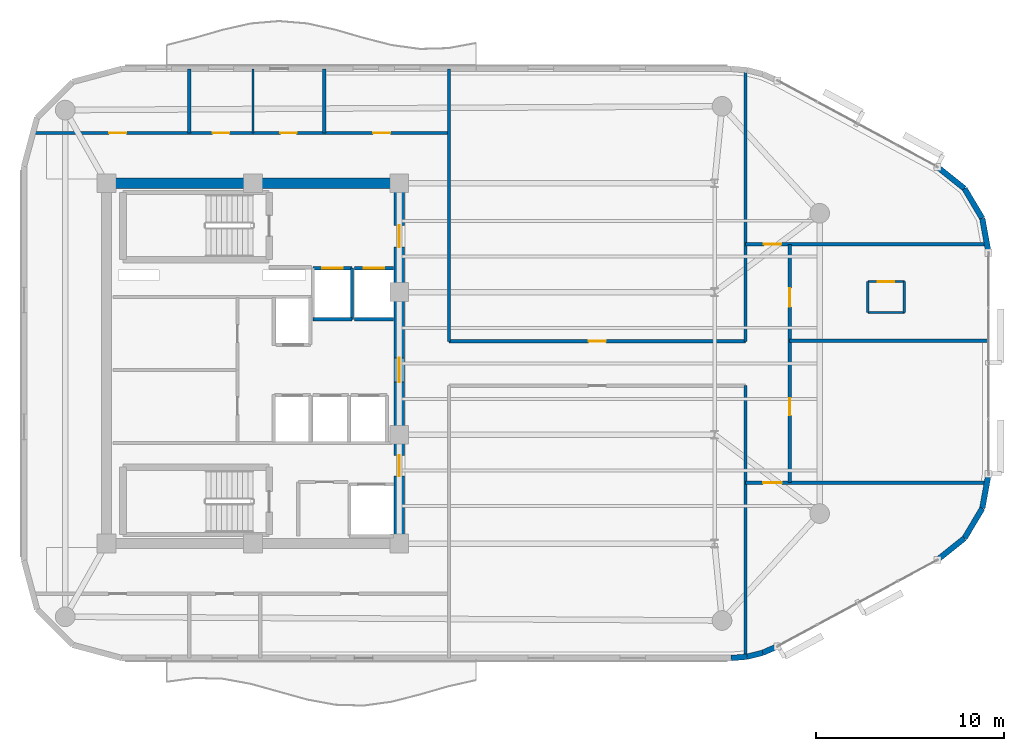
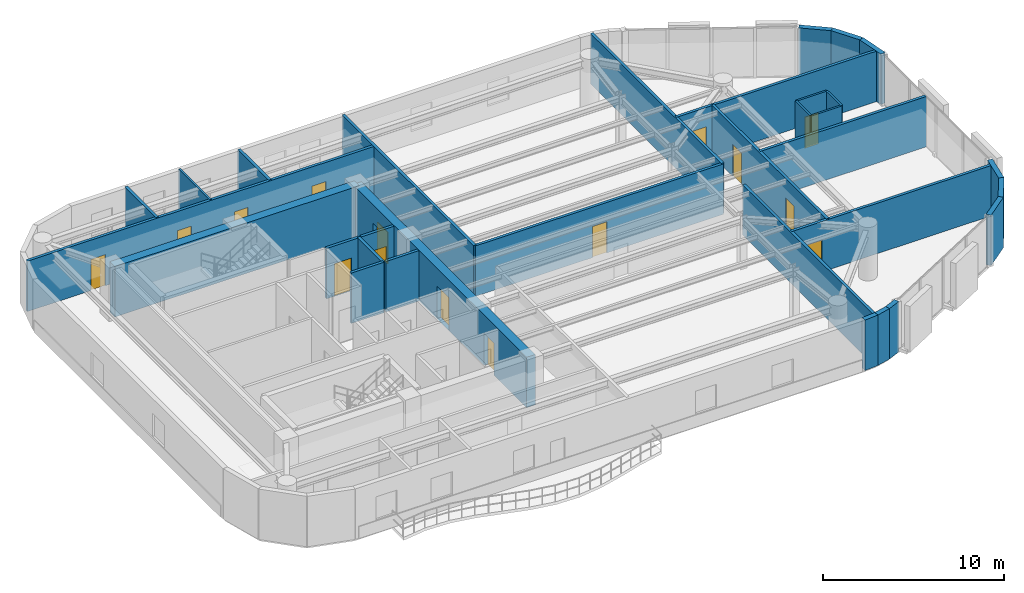
# One storey, part 10 of 13: 32 walls, 15 doors, 15 openings.
"""IFC4 building model written with IfcOpenShell, lengths in metres."""

from ifc_helpers import new_model, si_unit, direction, frame, frame_2d, origin, place, context, subcontext, project, spatial, rectangle, extrude, material, layer, layer_set, type_object, element, fill, save


model = new_model("IFC4")

# Units and contexts
model_context = context("Model", 3, precision=1e-05, world=origin(), true_north=direction((0.0, 1.0)))
body_context = subcontext(model_context, "Body", "Model", "MODEL_VIEW")
ifc_project = project(units=[si_unit("LENGTHUNIT", "METRE"), si_unit("AREAUNIT", "SQUARE_METRE"), si_unit("VOLUMEUNIT", "CUBIC_METRE"), si_unit("PLANEANGLEUNIT", "RADIAN"), si_unit("MASSUNIT", "GRAM", prefix="KILO")], contexts=[model_context])

# Site, building, storey
site_placement = place(None, origin())
site = spatial("IfcSite", under=ifc_project, at=site_placement, CompositionType="ELEMENT")
building_placement = place(site_placement, origin())
building = spatial("IfcBuilding", under=site, at=building_placement, Name="An Khanh Terracotta Commons", CompositionType="ELEMENT")
storey_placement = place(building_placement, frame((0.0, 0.0, 226.5)))
storey = spatial("IfcBuildingStorey", under=building, at=storey_placement, Name="L59", CompositionType="ELEMENT", Elevation=226.5)

# Wall
ifc_material_1 = material(Name="Concrete C50/60", Category="concrete")
ifc_layer_1 = layer(ifc_material_1, 0.550048828125, Name="Concrete C50/60")
ifc_layer_set_1 = layer_set([ifc_layer_1], Name="Concrete C50/60")
wall_type_1 = type_object("IfcWallType", Name="WALL-CORE-550", PredefinedType="SHEAR", material=ifc_layer_set_1)
wall_1_placement = place(storey_placement, frame((21.60009765625, 33.60009765625, 0.0), z_axis=(0.0, 0.0, 1.0), x_axis=(1.0, 0.0, 0.0)))
element("IfcWall", 1, at=wall_1_placement, inside=storey, type_object=wall_type_1, Name="L59 Core Wall CWALL-L59-N", PredefinedType="SHEAR", context=body_context, shape_type="SweptSolid", body=[
    extrude(rectangle(XDim=15.599853515625, YDim=0.550048828125, at=frame_2d((7.7998046875, 0.0))), origin(), (0.0, 0.0, 1.0), 3.39990234375),
])

# Wall, openings, doors
wall_2_placement = place(storey_placement, frame((37.199951171875, 14.39990234375, 0.0), z_axis=(0.0, 0.0, 1.0), x_axis=(0.0, 1.0, 0.0)))
wall_2 = element("IfcWall", 2, at=wall_2_placement, inside=storey, type_object=wall_type_1, Name="L59 Core Wall CWALL-L59-E", PredefinedType="SHEAR", context=body_context, shape_type="SweptSolid", body=[
    extrude(rectangle(XDim=19.2001953125, YDim=0.550048828125, at=frame_2d((9.60009765625, 0.0))), origin(), (0.0, 0.0, 1.0), 3.39990234375),
])
opening_1_placement = place(wall_2_placement, frame((15.800048828125, 0.0, 0.0)))
opening_1 = element("IfcOpeningElement", 3, at=opening_1_placement, cuts=wall_2, Name="Opening D-FFL", PredefinedType="OPENING", context=body_context, shape_type="SweptSolid", body=[
    extrude(rectangle(XDim=1.14990234375, YDim=2.14990234375, at=frame_2d((0.574951171875, 1.074951171875))), frame((0.0, 0.284912109375, 0.0), z_axis=(0.0, -1.0, 0.0), x_axis=(1.0, 0.0, 0.0)), (0.0, 0.0, 1.0), 0.570068359375),
])
opening_2_placement = place(wall_2_placement, frame((3.60009765625, 0.0, 0.0)))
opening_2 = element("IfcOpeningElement", 4, at=opening_2_placement, cuts=wall_2, Name="Opening D-ST", PredefinedType="OPENING", context=body_context, shape_type="SweptSolid", body=[
    extrude(rectangle(XDim=1.10009765625, YDim=2.14990234375, at=frame_2d((0.550048828125, 1.074951171875))), frame((0.0, 0.284912109375, 0.0), z_axis=(0.0, -1.0, 0.0), x_axis=(1.0, 0.0, 0.0)), (0.0, 0.0, 1.0), 0.570068359375),
])
opening_3_placement = place(wall_2_placement, frame((8.60009765625, 0.0, 0.0)))
opening_3 = element("IfcOpeningElement", 5, at=opening_3_placement, cuts=wall_2, Name="Opening D-COR", PredefinedType="OPENING", context=body_context, shape_type="SweptSolid", body=[
    extrude(rectangle(XDim=1.300048828125, YDim=2.199951171875, at=frame_2d((0.64990234375, 1.10009765625))), frame((0.0, 0.284912109375, 0.0), z_axis=(0.0, -1.0, 0.0), x_axis=(1.0, 0.0, 0.0)), (0.0, 0.0, 1.0), 0.570068359375),
])
ifc_material_2 = material(Name="Fire-Rated Glazed Steel Double Door", Category="steel")
door_type_1 = type_object("IfcDoorType", Name="DOOR-CORR-1300", OperationType="NOTDEFINED", PredefinedType="DOOR", material=ifc_material_2)
door_1_placement = place(opening_3_placement, origin())
door_1 = element("IfcDoor", 6, at=door_1_placement, inside=storey, type_object=door_type_1, Name="L59 Passenger Lift Lobby Double Door", OperationType="DOUBLE_DOOR_SINGLE_SWING", OverallHeight=2.199951171875, OverallWidth=1.300048828125, PredefinedType="DOOR", context=body_context, shape_type="SweptSolid", body=[
    extrude(rectangle(XDim=1.300048828125, YDim=2.199951171875, at=frame_2d((0.64990234375, 1.10009765625))), frame((0.0, 0.02490234375, 0.0), z_axis=(0.0, -1.0, 0.0), x_axis=(1.0, 0.0, 0.0)), (0.0, 0.0, 1.0), 0.050048828125),
])
fill(opening_3, door_1)
ifc_material_3 = material(Name="Fire-Rated Steel Leaf and Vision Panel", Category="steel")
door_type_2 = type_object("IfcDoorType", Name="DOOR-FFL-1150", OperationType="NOTDEFINED", PredefinedType="DOOR", material=ifc_material_3)
door_2_placement = place(opening_1_placement, origin())
door_2 = element("IfcDoor", 7, at=door_2_placement, inside=storey, type_object=door_type_2, Name="L59 Firefighting Lift Lobby Fire Door", OperationType="SINGLE_SWING_LEFT", OverallHeight=2.14990234375, OverallWidth=1.14990234375, PredefinedType="DOOR", context=body_context, shape_type="SweptSolid", body=[
    extrude(rectangle(XDim=1.14990234375, YDim=2.14990234375, at=frame_2d((0.574951171875, 1.074951171875))), frame((0.0, 0.02490234375, 0.0), z_axis=(0.0, -1.0, 0.0), x_axis=(1.0, 0.0, 0.0)), (0.0, 0.0, 1.0), 0.050048828125),
])
fill(opening_1, door_2)
ifc_material_4 = material(Name="Fire-Rated Steel Leaf and Frame", Category="steel")
door_type_3 = type_object("IfcDoorType", Name="DOOR-STAIR-1100", OperationType="NOTDEFINED", PredefinedType="DOOR", material=ifc_material_4)
door_3_placement = place(opening_2_placement, origin())
door_3 = element("IfcDoor", 8, at=door_3_placement, inside=storey, type_object=door_type_3, Name="L59 South Stair Lobby Fire Door", OperationType="SINGLE_SWING_RIGHT", OverallHeight=2.14990234375, OverallWidth=1.10009765625, PredefinedType="DOOR", context=body_context, shape_type="SweptSolid", body=[
    extrude(rectangle(XDim=1.10009765625, YDim=2.14990234375, at=frame_2d((0.550048828125, 1.074951171875))), frame((0.0, 0.02490234375, 0.0), z_axis=(0.0, -1.0, 0.0), x_axis=(1.0, 0.0, 0.0)), (0.0, 0.0, 1.0), 0.050048828125),
])
fill(opening_2, door_3)

# Wall, opening, door
ifc_material_5 = material(Name="Fire-Rated Gypsum Board on Steel Stud", Category="steel")
ifc_layer_2 = layer(ifc_material_5, 0.179931640625, Name="Fire-Rated Gypsum Board on Steel Stud")
ifc_layer_set_2 = layer_set([ifc_layer_2], Name="Fire-Rated Gypsum Board on Steel Stud")
wall_type_2 = type_object("IfcWallType", Name="WALL-CORR-180", PredefinedType="PARTITIONING", material=ifc_layer_set_2)
wall_3_placement = place(storey_placement, frame((32.60009765625, 29.080078125, 0.0), z_axis=(0.0, 0.0, 1.0), x_axis=(1.0, 0.0, 0.0)))
wall_3 = element("IfcWall", 9, at=wall_3_placement, inside=storey, type_object=wall_type_2, Name="L59 Core Wall LSH-L59-FFL-01-N", PredefinedType="PARTITIONING", context=body_context, shape_type="SweptSolid", body=[
    extrude(rectangle(XDim=2.079833984375, YDim=0.179931640625, at=frame_2d((1.0400390625, 0.0))), origin(), (0.0, 0.0, 1.0), 3.39990234375),
])
opening_4_placement = place(wall_3_placement, frame((0.489990234375, 0.0, 0.0)))
opening_4 = element("IfcOpeningElement", 10, at=opening_4_placement, cuts=wall_3, Name="Opening LD-FFL-01-L59", PredefinedType="OPENING", context=body_context, shape_type="SweptSolid", body=[
    extrude(rectangle(XDim=1.10009765625, YDim=2.199951171875, at=frame_2d((0.550048828125, 1.10009765625))), frame((0.0, 0.099853515625, 0.0), z_axis=(0.0, -1.0, 0.0), x_axis=(1.0, 0.0, 0.0)), (0.0, 0.0, 1.0), 0.199951171875),
])
ifc_material_6 = material(Name="Brushed Stainless Steel Fire Landing Door", Category="steel")
door_type_4 = type_object("IfcDoorType", Name="DOOR-LD-FFL-1100", OperationType="NOTDEFINED", PredefinedType="DOOR", material=ifc_material_6)
door_4_placement = place(opening_4_placement, origin())
door_4 = element("IfcDoor", 11, at=door_4_placement, inside=storey, type_object=door_type_4, Name="L59 Lift FFL-01 Sliding Landing Door", OperationType="DOUBLE_DOOR_SLIDING", OverallHeight=2.199951171875, OverallWidth=1.10009765625, PredefinedType="DOOR", context=body_context, shape_type="SweptSolid", body=[
    extrude(rectangle(XDim=1.10009765625, YDim=2.199951171875, at=frame_2d((0.550048828125, 1.10009765625))), frame((0.0, 0.02490234375, 0.0), z_axis=(0.0, -1.0, 0.0), x_axis=(1.0, 0.0, 0.0)), (0.0, 0.0, 1.0), 0.050048828125),
])
fill(opening_4, door_4)

# Walls
wall_4_placement = place(storey_placement, frame((34.679931640625, 26.35009765625, 0.0), z_axis=(0.0, 0.0, 1.0), x_axis=(-1.0, 0.0, 0.0)))
element("IfcWall", 12, at=wall_4_placement, inside=storey, type_object=wall_type_2, Name="L59 Core Wall LSH-L59-FFL-01-S", PredefinedType="PARTITIONING", context=body_context, shape_type="SweptSolid", body=[
    extrude(rectangle(XDim=2.079833984375, YDim=0.179931640625, at=frame_2d((1.0400390625, 0.0))), origin(), (0.0, 0.0, 1.0), 3.39990234375),
])
wall_5_placement = place(storey_placement, frame((34.679931640625, 26.35009765625, 0.0), z_axis=(0.0, 0.0, 1.0), x_axis=(0.0, 1.0, 0.0)))
element("IfcWall", 13, at=wall_5_placement, inside=storey, type_object=wall_type_2, Name="L59 Core Wall LSH-L59-FFL-01-E", PredefinedType="PARTITIONING", context=body_context, shape_type="SweptSolid", body=[
    extrude(rectangle(XDim=2.72998046875, YDim=0.179931640625, at=frame_2d((1.364990234375, 0.0))), origin(), (0.0, 0.0, 1.0), 3.39990234375),
])

# Wall, opening, door
wall_6_placement = place(storey_placement, frame((34.820068359375, 29.080078125, 0.0), z_axis=(0.0, 0.0, 1.0), x_axis=(1.0, 0.0, 0.0)))
wall_6 = element("IfcWall", 14, at=wall_6_placement, inside=storey, type_object=wall_type_2, Name="L59 Core Wall LSH-L59-FFL-02-N", PredefinedType="PARTITIONING", context=body_context, shape_type="SweptSolid", body=[
    extrude(rectangle(XDim=2.079833984375, YDim=0.179931640625, at=frame_2d((1.0400390625, 0.0))), origin(), (0.0, 0.0, 1.0), 3.39990234375),
])
opening_5_placement = place(wall_6_placement, frame((0.489990234375, 0.0, 0.0)))
opening_5 = element("IfcOpeningElement", 15, at=opening_5_placement, cuts=wall_6, Name="Opening LD-FFL-02-L59", PredefinedType="OPENING", context=body_context, shape_type="SweptSolid", body=[
    extrude(rectangle(XDim=1.10009765625, YDim=2.199951171875, at=frame_2d((0.550048828125, 1.10009765625))), frame((0.0, 0.099853515625, 0.0), z_axis=(0.0, -1.0, 0.0), x_axis=(1.0, 0.0, 0.0)), (0.0, 0.0, 1.0), 0.199951171875),
])
door_5_placement = place(opening_5_placement, origin())
door_5 = element("IfcDoor", 16, at=door_5_placement, inside=storey, type_object=door_type_4, Name="L59 Lift FFL-02 Sliding Landing Door", OperationType="DOUBLE_DOOR_SLIDING", OverallHeight=2.199951171875, OverallWidth=1.10009765625, PredefinedType="DOOR", context=body_context, shape_type="SweptSolid", body=[
    extrude(rectangle(XDim=1.10009765625, YDim=2.199951171875, at=frame_2d((0.550048828125, 1.10009765625))), frame((0.0, 0.02490234375, 0.0), z_axis=(0.0, -1.0, 0.0), x_axis=(1.0, 0.0, 0.0)), (0.0, 0.0, 1.0), 0.050048828125),
])
fill(opening_5, door_5)

# Wall
wall_7_placement = place(storey_placement, frame((36.89990234375, 26.35009765625, 0.0), z_axis=(0.0, 0.0, 1.0), x_axis=(-1.0, 0.0, 0.0)))
element("IfcWall", 17, at=wall_7_placement, inside=storey, type_object=wall_type_2, Name="L59 Core Wall LSH-L59-FFL-02-S", PredefinedType="PARTITIONING", context=body_context, shape_type="SweptSolid", body=[
    extrude(rectangle(XDim=2.079833984375, YDim=0.179931640625, at=frame_2d((1.0400390625, 0.0))), origin(), (0.0, 0.0, 1.0), 3.39990234375),
])

# Wall, opening, door
wall_8_placement = place(storey_placement, frame((55.64990234375, 17.64990234375, 0.0), z_axis=(0.0, 0.0, 1.0), x_axis=(1.0, 0.0, 0.0)))
wall_8 = element("IfcWall", 18, at=wall_8_placement, inside=storey, type_object=wall_type_2, Name="L59 Interior Partition IW-L59-E002", PredefinedType="PARTITIONING", context=body_context, shape_type="SweptSolid", body=[
    extrude(rectangle(XDim=12.8681640625, YDim=0.179931640625, at=frame_2d((6.43408203125, 0.0))), origin(), (0.0, 0.0, 1.0), 3.39990234375),
])
opening_6_placement = place(wall_8_placement, frame((0.93505859375, 0.0, 0.0)))
opening_6 = element("IfcOpeningElement", 19, at=opening_6_placement, cuts=wall_8, Name="Opening D-UN", PredefinedType="OPENING", context=body_context, shape_type="SweptSolid", body=[
    extrude(rectangle(XDim=1.0, YDim=2.14990234375, at=frame_2d((0.5, 1.074951171875))), frame((0.0, 0.099853515625, 0.0), z_axis=(0.0, -1.0, 0.0), x_axis=(1.0, 0.0, 0.0)), (0.0, 0.0, 1.0), 0.199951171875),
])
ifc_material_7 = material(Name="Solid-Core Hardwood Acoustic Fire Door", Category="wood")
door_type_5 = type_object("IfcDoorType", Name="DOOR-UNIT-1000", OperationType="NOTDEFINED", PredefinedType="DOOR", material=ifc_material_7)
door_6_placement = place(opening_6_placement, origin())
door_6 = element("IfcDoor", 20, at=door_6_placement, inside=storey, type_object=door_type_5, Name="L59 CAPS Yoga Wellness Studio Door", OperationType="SINGLE_SWING_LEFT", OverallHeight=2.14990234375, OverallWidth=1.0, PredefinedType="DOOR", context=body_context, shape_type="SweptSolid", body=[
    extrude(rectangle(XDim=1.0, YDim=2.14990234375, at=frame_2d((0.5, 1.074951171875))), frame((0.0, 0.02490234375, 0.0), z_axis=(0.0, -1.0, 0.0), x_axis=(1.0, 0.0, 0.0)), (0.0, 0.0, 1.0), 0.050048828125),
])
fill(opening_6, door_6)

wall_9_placement = place(storey_placement, frame((39.85009765625, 25.179931640625, 0.0), z_axis=(0.0, 0.0, 1.0), x_axis=(1.0, 0.0, 0.0)))
wall_9 = element("IfcWall", 21, at=wall_9_placement, inside=storey, type_object=wall_type_2, Name="L59 Interior Partition IW-L59-E004", PredefinedType="PARTITIONING", context=body_context, shape_type="SweptSolid", body=[
    extrude(rectangle(XDim=15.7998046875, YDim=0.179931640625, at=frame_2d((7.89990234375, 0.0))), origin(), (0.0, 0.0, 1.0), 3.39990234375),
])
opening_7_placement = place(wall_9_placement, frame((7.43994140625, 0.0, 0.0)))
opening_7 = element("IfcOpeningElement", 22, at=opening_7_placement, cuts=wall_9, Name="Opening D-RM", PredefinedType="OPENING", context=body_context, shape_type="SweptSolid", body=[
    extrude(rectangle(XDim=0.919921875, YDim=2.10009765625, at=frame_2d((0.4599609375, 1.050048828125))), frame((0.0, 0.099853515625, 0.0), z_axis=(0.0, -1.0, 0.0), x_axis=(1.0, 0.0, 0.0)), (0.0, 0.0, 1.0), 0.199951171875),
])
ifc_material_8 = material(Name="Engineered Hardwood Timber Leaf", Category="wood")
door_type_6 = type_object("IfcDoorType", Name="DOOR-INT-920", OperationType="NOTDEFINED", PredefinedType="DOOR", material=ifc_material_8)
door_7_placement = place(opening_7_placement, origin())
door_7 = element("IfcDoor", 23, at=door_7_placement, inside=storey, type_object=door_type_6, Name="L59 NB1 Student Reading Library Door", OperationType="SINGLE_SWING_RIGHT", OverallHeight=2.10009765625, OverallWidth=0.919921875, PredefinedType="DOOR", context=body_context, shape_type="SweptSolid", body=[
    extrude(rectangle(XDim=0.919921875, YDim=2.10009765625, at=frame_2d((0.4599609375, 1.050048828125))), frame((0.0, 0.02490234375, 0.0), z_axis=(0.0, -1.0, 0.0), x_axis=(1.0, 0.0, 0.0)), (0.0, 0.0, 1.0), 0.050048828125),
])
fill(opening_7, door_7)

# Wall
wall_10_placement = place(storey_placement, frame((58.0, 25.199951171875, 0.0), z_axis=(0.0, 0.0, 1.0), x_axis=(1.0, 0.0, 0.0)))
element("IfcWall", 24, at=wall_10_placement, inside=storey, type_object=wall_type_2, Name="L59 Interior Partition IW-L59-E005", PredefinedType="PARTITIONING", context=body_context, shape_type="SweptSolid", body=[
    extrude(rectangle(XDim=10.60009765625, YDim=0.179931640625, at=frame_2d((5.300048828125, 0.0))), origin(), (0.0, 0.0, 1.0), 3.39990234375),
])

# Wall, opening, door
wall_11_placement = place(storey_placement, frame((55.64990234375, 30.35009765625, 0.0), z_axis=(0.0, 0.0, 1.0), x_axis=(1.0, 0.0, 0.0)))
wall_11 = element("IfcWall", 25, at=wall_11_placement, inside=storey, type_object=wall_type_2, Name="L59 Interior Partition IW-L59-E006", PredefinedType="PARTITIONING", context=body_context, shape_type="SweptSolid", body=[
    extrude(rectangle(XDim=12.8681640625, YDim=0.179931640625, at=frame_2d((6.43408203125, 0.0))), origin(), (0.0, 0.0, 1.0), 3.39990234375),
])
opening_8_placement = place(wall_11_placement, frame((0.97509765625, 0.0, 0.0)))
opening_8 = element("IfcOpeningElement", 26, at=opening_8_placement, cuts=wall_11, Name="Opening D-RM", PredefinedType="OPENING", context=body_context, shape_type="SweptSolid", body=[
    extrude(rectangle(XDim=0.919921875, YDim=2.10009765625, at=frame_2d((0.4599609375, 1.050048828125))), frame((0.0, 0.099853515625, 0.0), z_axis=(0.0, -1.0, 0.0), x_axis=(1.0, 0.0, 0.0)), (0.0, 0.0, 1.0), 0.199951171875),
])
door_8_placement = place(opening_8_placement, origin())
door_8 = element("IfcDoor", 27, at=door_8_placement, inside=storey, type_object=door_type_6, Name="L59 CAPN Music Practice Hall Door", OperationType="SINGLE_SWING_RIGHT", OverallHeight=2.10009765625, OverallWidth=0.919921875, PredefinedType="DOOR", context=body_context, shape_type="SweptSolid", body=[
    extrude(rectangle(XDim=0.919921875, YDim=2.10009765625, at=frame_2d((0.4599609375, 1.050048828125))), frame((0.0, 0.02490234375, 0.0), z_axis=(0.0, -1.0, 0.0), x_axis=(1.0, 0.0, 0.0)), (0.0, 0.0, 1.0), 0.050048828125),
])
fill(opening_8, door_8)

# Wall, openings, doors
wall_12_placement = place(storey_placement, frame((17.677001953125, 36.280029296875, 0.0), z_axis=(0.0, 0.0, 1.0), x_axis=(1.0, 0.0, 0.0)))
wall_12 = element("IfcWall", 28, at=wall_12_placement, inside=storey, type_object=wall_type_2, Name="L59 Interior Partition IW-L59-E007", PredefinedType="PARTITIONING", context=body_context, shape_type="SweptSolid", body=[
    extrude(rectangle(XDim=22.173095703125, YDim=0.179931640625, at=frame_2d((11.08642578125, 0.0))), origin(), (0.0, 0.0, 1.0), 3.39990234375),
])
opening_9_placement = place(wall_12_placement, frame((9.572998046875, 0.0, 0.0)))
opening_9 = element("IfcOpeningElement", 29, at=opening_9_placement, cuts=wall_12, Name="Opening D-WC", PredefinedType="OPENING", context=body_context, shape_type="SweptSolid", body=[
    extrude(rectangle(XDim=0.89990234375, YDim=2.10009765625, at=frame_2d((0.449951171875, 1.050048828125))), frame((0.0, 0.099853515625, 0.0), z_axis=(0.0, -1.0, 0.0), x_axis=(1.0, 0.0, 0.0)), (0.0, 0.0, 1.0), 0.199951171875),
])
opening_10_placement = place(wall_12_placement, frame((13.193115234375, 0.0, 0.0)))
opening_10 = element("IfcOpeningElement", 30, at=opening_10_placement, cuts=wall_12, Name="Opening D-ENS", PredefinedType="OPENING", context=body_context, shape_type="SweptSolid", body=[
    extrude(rectangle(XDim=0.860107421875, YDim=2.10009765625, at=frame_2d((0.43017578125, 1.050048828125))), frame((0.0, 0.099853515625, 0.0), z_axis=(0.0, -1.0, 0.0), x_axis=(1.0, 0.0, 0.0)), (0.0, 0.0, 1.0), 0.199951171875),
])
opening_11_placement = place(wall_12_placement, frame((4.06298828125, 0.0, 0.0)))
opening_11 = element("IfcOpeningElement", 31, at=opening_11_placement, cuts=wall_12, Name="Opening D-RM", PredefinedType="OPENING", context=body_context, shape_type="SweptSolid", body=[
    extrude(rectangle(XDim=0.919921875, YDim=2.10009765625, at=frame_2d((0.4599609375, 1.050048828125))), frame((0.0, 0.099853515625, 0.0), z_axis=(0.0, -1.0, 0.0), x_axis=(1.0, 0.0, 0.0)), (0.0, 0.0, 1.0), 0.199951171875),
])
opening_12_placement = place(wall_12_placement, frame((18.1279296875, 0.0, 0.0)))
opening_12 = element("IfcOpeningElement", 32, at=opening_12_placement, cuts=wall_12, Name="Opening D-RM", PredefinedType="OPENING", context=body_context, shape_type="SweptSolid", body=[
    extrude(rectangle(XDim=0.919921875, YDim=2.10009765625, at=frame_2d((0.4599609375, 1.050048828125))), frame((0.0, 0.099853515625, 0.0), z_axis=(0.0, -1.0, 0.0), x_axis=(1.0, 0.0, 0.0)), (0.0, 0.0, 1.0), 0.199951171875),
])
ifc_material_9 = material(Name="Moisture-Resistant Hardwood Timber Leaf", Category="wood")
door_type_7 = type_object("IfcDoorType", Name="DOOR-BATH-860", OperationType="NOTDEFINED", PredefinedType="DOOR", material=ifc_material_9)
door_9_placement = place(opening_10_placement, origin())
door_9 = element("IfcDoor", 33, at=door_9_placement, inside=storey, type_object=door_type_7, Name="L59 SHW Resident Shared Shower and Washroom Door", OperationType="SINGLE_SWING_RIGHT", OverallHeight=2.10009765625, OverallWidth=0.860107421875, PredefinedType="DOOR", context=body_context, shape_type="SweptSolid", body=[
    extrude(rectangle(XDim=0.860107421875, YDim=2.10009765625, at=frame_2d((0.43017578125, 1.050048828125))), frame((0.0, 0.02490234375, 0.0), z_axis=(0.0, -1.0, 0.0), x_axis=(1.0, 0.0, 0.0)), (0.0, 0.0, 1.0), 0.050048828125),
])
fill(opening_10, door_9)
door_10_placement = place(opening_11_placement, origin())
door_10 = element("IfcDoor", 34, at=door_10_placement, inside=storey, type_object=door_type_6, Name="L59 NW1 Quiet Focus Office Door", OperationType="SINGLE_SWING_RIGHT", OverallHeight=2.10009765625, OverallWidth=0.919921875, PredefinedType="DOOR", context=body_context, shape_type="SweptSolid", body=[
    extrude(rectangle(XDim=0.919921875, YDim=2.10009765625, at=frame_2d((0.4599609375, 1.050048828125))), frame((0.0, 0.02490234375, 0.0), z_axis=(0.0, -1.0, 0.0), x_axis=(1.0, 0.0, 0.0)), (0.0, 0.0, 1.0), 0.050048828125),
])
fill(opening_11, door_10)
door_11_placement = place(opening_12_placement, origin())
door_11 = element("IfcDoor", 35, at=door_11_placement, inside=storey, type_object=door_type_6, Name="L59 NWE Academic Seminar Room Door", OperationType="SINGLE_SWING_LEFT", OverallHeight=2.10009765625, OverallWidth=0.919921875, PredefinedType="DOOR", context=body_context, shape_type="SweptSolid", body=[
    extrude(rectangle(XDim=0.919921875, YDim=2.10009765625, at=frame_2d((0.4599609375, 1.050048828125))), frame((0.0, 0.02490234375, 0.0), z_axis=(0.0, -1.0, 0.0), x_axis=(1.0, 0.0, 0.0)), (0.0, 0.0, 1.0), 0.050048828125),
])
fill(opening_12, door_11)
ifc_material_10 = material(Name="Laminate Moisture-Resistant Timber Leaf", Category="wood")
door_type_8 = type_object("IfcDoorType", Name="DOOR-WC-900", OperationType="NOTDEFINED", PredefinedType="DOOR", material=ifc_material_10)
door_12_placement = place(opening_9_placement, origin())
door_12 = element("IfcDoor", 36, at=door_12_placement, inside=storey, type_object=door_type_8, Name="L59 AWC Accessible WC Door", OperationType="SINGLE_SWING_LEFT", OverallHeight=2.10009765625, OverallWidth=0.89990234375, PredefinedType="DOOR", context=body_context, shape_type="SweptSolid", body=[
    extrude(rectangle(XDim=0.89990234375, YDim=2.10009765625, at=frame_2d((0.449951171875, 1.050048828125))), frame((0.0, 0.02490234375, 0.0), z_axis=(0.0, -1.0, 0.0), x_axis=(1.0, 0.0, 0.0)), (0.0, 0.0, 1.0), 0.050048828125),
])
fill(opening_9, door_12)

# Walls
for number, where, z_axis, x_axis, name in (
    (37, (26.0, 36.280029296875, 0.0), (0.0, 0.0, 1.0), (0.0, 1.0, 0.0), "L59 Interior Partition IW-L59-E009"),
    (38, (33.199951171875, 36.280029296875, 0.0), (0.0, 0.0, 1.0), (0.0, 1.0, 0.0), "L59 Interior Partition IW-L59-E012"),
):
    element("IfcWall", number, at=place(storey_placement, frame(where, z_axis=z_axis, x_axis=x_axis)), inside=storey, type_object=wall_type_2, Name=name, PredefinedType="PARTITIONING", context=body_context, shape_type="SweptSolid", body=[
        extrude(rectangle(XDim=3.419921875, YDim=0.179931640625, at=frame_2d((1.7099609375, 0.0))), origin(), (0.0, 0.0, 1.0), 3.39990234375),
    ])
wall_13_placement = place(storey_placement, frame((39.85009765625, 25.179931640625, 0.0), z_axis=(0.0, 0.0, 1.0), x_axis=(0.0, 1.0, 0.0)))
element("IfcWall", 39, at=wall_13_placement, inside=storey, type_object=wall_type_2, Name="L59 Interior Partition IW-L59-E014", PredefinedType="PARTITIONING", context=body_context, shape_type="SweptSolid", body=[
    extrude(rectangle(XDim=14.52001953125, YDim=0.179931640625, at=frame_2d((7.260009765625, 0.0))), origin(), (0.0, 0.0, 1.0), 3.39990234375),
])
for number, where, z_axis, x_axis, name in (
    (40, (55.64990234375, 8.364013671875, 0.0), (0.0, 0.0, 1.0), (0.0, 1.0, 0.0), "L59 Interior Partition IW-L59-E015"),
    (41, (55.64990234375, 25.179931640625, 0.0), (0.0, 0.0, 1.0), (0.0, 1.0, 0.0), "L59 Interior Partition IW-L59-E016"),
):
    element("IfcWall", number, at=place(storey_placement, frame(where, z_axis=z_axis, x_axis=x_axis)), inside=storey, type_object=wall_type_2, Name=name, PredefinedType="PARTITIONING", context=body_context, shape_type="SweptSolid", body=[
        extrude(rectangle(XDim=14.4560546875, YDim=0.179931640625, at=frame_2d((7.22802734375, 0.0))), origin(), (0.0, 0.0, 1.0), 3.39990234375),
    ])

# Wall, openings, doors
wall_14_placement = place(storey_placement, frame((58.0, 17.64990234375, 0.0), z_axis=(0.0, 0.0, 1.0), x_axis=(0.0, 1.0, 0.0)))
wall_14 = element("IfcWall", 42, at=wall_14_placement, inside=storey, type_object=wall_type_2, Name="L59 Interior Partition IW-L59-E017", PredefinedType="PARTITIONING", context=body_context, shape_type="SweptSolid", body=[
    extrude(rectangle(XDim=12.7001953125, YDim=0.179931640625, at=frame_2d((6.35009765625, 0.0))), origin(), (0.0, 0.0, 1.0), 3.39990234375),
])
opening_13_placement = place(wall_14_placement, frame((9.364990234375, 0.0, 0.0)))
opening_13 = element("IfcOpeningElement", 43, at=opening_13_placement, cuts=wall_14, Name="Opening D-UN", PredefinedType="OPENING", context=body_context, shape_type="SweptSolid", body=[
    extrude(rectangle(XDim=1.0, YDim=2.14990234375, at=frame_2d((0.5, 1.074951171875))), frame((0.0, 0.099853515625, 0.0), z_axis=(0.0, -1.0, 0.0), x_axis=(1.0, 0.0, 0.0)), (0.0, 0.0, 1.0), 0.199951171875),
])
opening_14_placement = place(wall_14_placement, frame((3.574951171875, 0.0, 0.0)))
opening_14 = element("IfcOpeningElement", 44, at=opening_14_placement, cuts=wall_14, Name="Opening D-RM", PredefinedType="OPENING", context=body_context, shape_type="SweptSolid", body=[
    extrude(rectangle(XDim=0.919921875, YDim=2.10009765625, at=frame_2d((0.4599609375, 1.050048828125))), frame((0.0, 0.099853515625, 0.0), z_axis=(0.0, -1.0, 0.0), x_axis=(1.0, 0.0, 0.0)), (0.0, 0.0, 1.0), 0.199951171875),
])
door_13_placement = place(opening_14_placement, origin())
door_13 = element("IfcDoor", 45, at=door_13_placement, inside=storey, type_object=door_type_6, Name="L59 EF2 Riverfront Study Lounge Door", OperationType="SINGLE_SWING_LEFT", OverallHeight=2.10009765625, OverallWidth=0.919921875, PredefinedType="DOOR", context=body_context, shape_type="SweptSolid", body=[
    extrude(rectangle(XDim=0.919921875, YDim=2.10009765625, at=frame_2d((0.4599609375, 1.050048828125))), frame((0.0, 0.02490234375, 0.0), z_axis=(0.0, -1.0, 0.0), x_axis=(1.0, 0.0, 0.0)), (0.0, 0.0, 1.0), 0.050048828125),
])
fill(opening_14, door_13)
door_14_placement = place(opening_13_placement, origin())
door_14 = element("IfcDoor", 46, at=door_14_placement, inside=storey, type_object=door_type_5, Name="L59 EF1 Kitchenette and Studio Apartment Door", OperationType="SINGLE_SWING_RIGHT", OverallHeight=2.14990234375, OverallWidth=1.0, PredefinedType="DOOR", context=body_context, shape_type="SweptSolid", body=[
    extrude(rectangle(XDim=1.0, YDim=2.14990234375, at=frame_2d((0.5, 1.074951171875))), frame((0.0, 0.02490234375, 0.0), z_axis=(0.0, -1.0, 0.0), x_axis=(1.0, 0.0, 0.0)), (0.0, 0.0, 1.0), 0.050048828125),
])
fill(opening_13, door_14)

# Walls
ifc_material_11 = material(Name="Precast concrete C40/50", Category="concrete")
ifc_layer_3 = layer(ifc_material_11, 0.300048828125, Name="Precast concrete C40/50")
ifc_layer_set_3 = layer_set([ifc_layer_3], Name="Precast concrete C40/50")
wall_type_3 = type_object("IfcWallType", Name="WALL-EXT-300", PredefinedType="SOLIDWALL", material=ifc_layer_set_3)
wall_15_placement = place(storey_placement, frame((54.885009765625, 8.300048828125, 0.0), z_axis=(0.0, 0.0, 1.0), x_axis=(0.996565355958, 0.082809971041, 0.0)))
element("IfcWall", 47, at=wall_15_placement, inside=storey, type_object=wall_type_3, Name="L59 Insulated Terracotta Exterior Wall 5", PredefinedType="SOLIDWALL", context=body_context, shape_type="SweptSolid", body=[
    extrude(rectangle(XDim=0.85791015625, YDim=0.300048828125, at=frame_2d((0.428955078125, 0.0))), origin(), (0.0, 0.0, 1.0), 3.39990234375),
])
wall_16_placement = place(storey_placement, frame((55.739990234375, 8.37109375, 0.0), z_axis=(0.0, 0.0, 1.0), x_axis=(0.969536346338, 0.244947490555, 0.0)))
element("IfcWall", 48, at=wall_16_placement, inside=storey, type_object=wall_type_3, Name="L59 Insulated Terracotta Exterior Wall 6", PredefinedType="SOLIDWALL", context=body_context, shape_type="SweptSolid", body=[
    extrude(rectangle(XDim=0.857177734375, YDim=0.300048828125, at=frame_2d((0.4287109375, 0.0))), origin(), (0.0, 0.0, 1.0), 3.39990234375),
])
wall_17_placement = place(storey_placement, frame((56.571044921875, 8.5810546875, 0.0), z_axis=(0.0, 0.0, 1.0), x_axis=(0.916085473636, 0.400983048261, 0.0)))
element("IfcWall", 49, at=wall_17_placement, inside=storey, type_object=wall_type_3, Name="L59 Insulated Terracotta Exterior Wall 7", PredefinedType="SOLIDWALL", context=body_context, shape_type="SweptSolid", body=[
    extrude(rectangle(XDim=0.85791015625, YDim=0.300048828125, at=frame_2d((0.428955078125, 0.0))), origin(), (0.0, 0.0, 1.0), 3.39990234375),
])
wall_18_placement = place(storey_placement, frame((65.8720703125, 13.52587890625, 0.0), z_axis=(0.0, 0.0, 1.0), x_axis=(0.780920189257, 0.624630817372, 0.0)))
element("IfcWall", 50, at=wall_18_placement, inside=storey, type_object=wall_type_3, Name="L59 Insulated Terracotta Exterior Wall 9", PredefinedType="SOLIDWALL", context=body_context, shape_type="SweptSolid", body=[
    extrude(rectangle(XDim=1.854248046875, YDim=0.300048828125, at=frame_2d((0.92724609375, 0.0))), origin(), (0.0, 0.0, 1.0), 3.39990234375),
])
wall_19_placement = place(storey_placement, frame((67.320068359375, 14.68408203125, 0.0), z_axis=(0.0, 0.0, 1.0), x_axis=(0.512072018927, 0.858942516955, 0.0)))
element("IfcWall", 51, at=wall_19_placement, inside=storey, type_object=wall_type_3, Name="L59 Insulated Terracotta Exterior Wall 10", PredefinedType="SOLIDWALL", context=body_context, shape_type="SweptSolid", body=[
    extrude(rectangle(XDim=1.853271484375, YDim=0.300048828125, at=frame_2d((0.9267578125, 0.0))), origin(), (0.0, 0.0, 1.0), 3.39990234375),
])
for number, where, z_axis, x_axis, name in (
    (52, (68.26904296875, 16.27587890625, 0.0), (0.0, 0.0, 1.0), (0.178468469252, 0.983945631365, 0.0), "L59 Insulated Terracotta Exterior Wall 11"),
    (53, (68.60009765625, 29.89892578125, 0.0), (0.0, 0.0, 1.0), (-0.178468469252, 0.983945631365, 0.0), "L59 Insulated Terracotta Exterior Wall 13"),
):
    element("IfcWall", number, at=place(storey_placement, frame(where, z_axis=z_axis, x_axis=x_axis)), inside=storey, type_object=wall_type_3, Name=name, PredefinedType="SOLIDWALL", context=body_context, shape_type="SweptSolid", body=[
        extrude(rectangle(XDim=1.85498046875, YDim=0.300048828125, at=frame_2d((0.927490234375, 0.0))), origin(), (0.0, 0.0, 1.0), 3.39990234375),
    ])
wall_20_placement = place(storey_placement, frame((68.26904296875, 31.72412109375, 0.0), z_axis=(0.0, 0.0, 1.0), x_axis=(-0.512072018927, 0.858942516955, 0.0)))
element("IfcWall", 54, at=wall_20_placement, inside=storey, type_object=wall_type_3, Name="L59 Insulated Terracotta Exterior Wall 14", PredefinedType="SOLIDWALL", context=body_context, shape_type="SweptSolid", body=[
    extrude(rectangle(XDim=1.853271484375, YDim=0.300048828125, at=frame_2d((0.9267578125, 0.0))), origin(), (0.0, 0.0, 1.0), 3.39990234375),
])
wall_21_placement = place(storey_placement, frame((67.320068359375, 33.31591796875, 0.0), z_axis=(0.0, 0.0, 1.0), x_axis=(-0.780920189257, 0.624630817372, 0.0)))
element("IfcWall", 55, at=wall_21_placement, inside=storey, type_object=wall_type_3, Name="L59 Insulated Terracotta Exterior Wall 15", PredefinedType="SOLIDWALL", context=body_context, shape_type="SweptSolid", body=[
    extrude(rectangle(XDim=1.854248046875, YDim=0.300048828125, at=frame_2d((0.92724609375, 0.0))), origin(), (0.0, 0.0, 1.0), 3.39990234375),
])

# Wall, opening, door
ifc_material_12 = material(Name="Moisture-Resistant Cement Board Partition")
ifc_layer_4 = layer(ifc_material_12, 0.1201171875, Name="Moisture-Resistant Cement Board Partition")
ifc_layer_set_4 = layer_set([ifc_layer_4], Name="Moisture-Resistant Cement Board Partition")
wall_type_4 = type_object("IfcWallType", Name="WALL-WET-120", PredefinedType="PARTITIONING", material=ifc_layer_set_4)
wall_22_placement = place(storey_placement, frame((62.1650390625, 28.360107421875, 0.0), z_axis=(0.0, 0.0, 1.0), x_axis=(1.0, 0.0, 0.0)))
wall_22 = element("IfcWall", 56, at=wall_22_placement, inside=storey, type_object=wall_type_4, Name="L59 Interior Partition IW-L59-EF1-BN", PredefinedType="PARTITIONING", context=body_context, shape_type="SweptSolid", body=[
    extrude(rectangle(XDim=1.949951171875, YDim=0.1201171875, at=frame_2d((0.97509765625, 0.0))), origin(), (0.0, 0.0, 1.0), 3.39990234375),
])
opening_15_placement = place(wall_22_placement, frame((0.544921875, 0.0, 0.0)))
opening_15 = element("IfcOpeningElement", 57, at=opening_15_placement, cuts=wall_22, Name="Opening D-ENS", PredefinedType="OPENING", context=body_context, shape_type="SweptSolid", body=[
    extrude(rectangle(XDim=0.860107421875, YDim=2.10009765625, at=frame_2d((0.43017578125, 1.050048828125))), frame((0.0, 0.070068359375, 0.0), z_axis=(0.0, -1.0, 0.0), x_axis=(1.0, 0.0, 0.0)), (0.0, 0.0, 1.0), 0.14013671875),
])
door_15_placement = place(opening_15_placement, origin())
door_15 = element("IfcDoor", 58, at=door_15_placement, inside=storey, type_object=door_type_7, Name="L59 Studio EF1 En-suite Door", OperationType="SINGLE_SWING_RIGHT", OverallHeight=2.10009765625, OverallWidth=0.860107421875, PredefinedType="DOOR", context=body_context, shape_type="SweptSolid", body=[
    extrude(rectangle(XDim=0.860107421875, YDim=2.10009765625, at=frame_2d((0.43017578125, 1.050048828125))), frame((0.0, 0.02490234375, 0.0), z_axis=(0.0, -1.0, 0.0), x_axis=(1.0, 0.0, 0.0)), (0.0, 0.0, 1.0), 0.050048828125),
])
fill(opening_15, door_15)

# Walls
wall_23_placement = place(storey_placement, frame((64.114990234375, 26.7099609375, 0.0), z_axis=(0.0, 0.0, 1.0), x_axis=(-1.0, 0.0, 0.0)))
element("IfcWall", 59, at=wall_23_placement, inside=storey, type_object=wall_type_4, Name="L59 Interior Partition IW-L59-EF1-BS", PredefinedType="PARTITIONING", context=body_context, shape_type="SweptSolid", body=[
    extrude(rectangle(XDim=1.949951171875, YDim=0.1201171875, at=frame_2d((0.97509765625, 0.0))), origin(), (0.0, 0.0, 1.0), 3.39990234375),
])
for number, where, z_axis, x_axis, name in (
    (60, (62.1650390625, 28.360107421875, 0.0), (0.0, 0.0, 1.0), (0.0, -1.0, 0.0), "L59 Interior Partition IW-L59-EF1-BW"),
    (61, (64.114990234375, 26.7099609375, 0.0), (0.0, 0.0, 1.0), (0.0, 1.0, 0.0), "L59 Interior Partition IW-L59-EF1-BE"),
):
    element("IfcWall", number, at=place(storey_placement, frame(where, z_axis=z_axis, x_axis=x_axis)), inside=storey, type_object=wall_type_4, Name=name, PredefinedType="PARTITIONING", context=body_context, shape_type="SweptSolid", body=[
        extrude(rectangle(XDim=1.650146484375, YDim=0.1201171875, at=frame_2d((0.8251953125, 0.0))), origin(), (0.0, 0.0, 1.0), 3.39990234375),
    ])
wall_24_placement = place(storey_placement, frame((29.39990234375, 36.280029296875, 0.0), z_axis=(0.0, 0.0, 1.0), x_axis=(0.0, 1.0, 0.0)))
element("IfcWall", 62, at=wall_24_placement, inside=storey, type_object=wall_type_4, Name="L59 Interior Partition IW-L59-E010", PredefinedType="PARTITIONING", context=body_context, shape_type="SweptSolid", body=[
    extrude(rectangle(XDim=3.419921875, YDim=0.1201171875, at=frame_2d((1.7099609375, 0.0))), origin(), (0.0, 0.0, 1.0), 3.39990234375),
])

save(model, "model.ifc")
